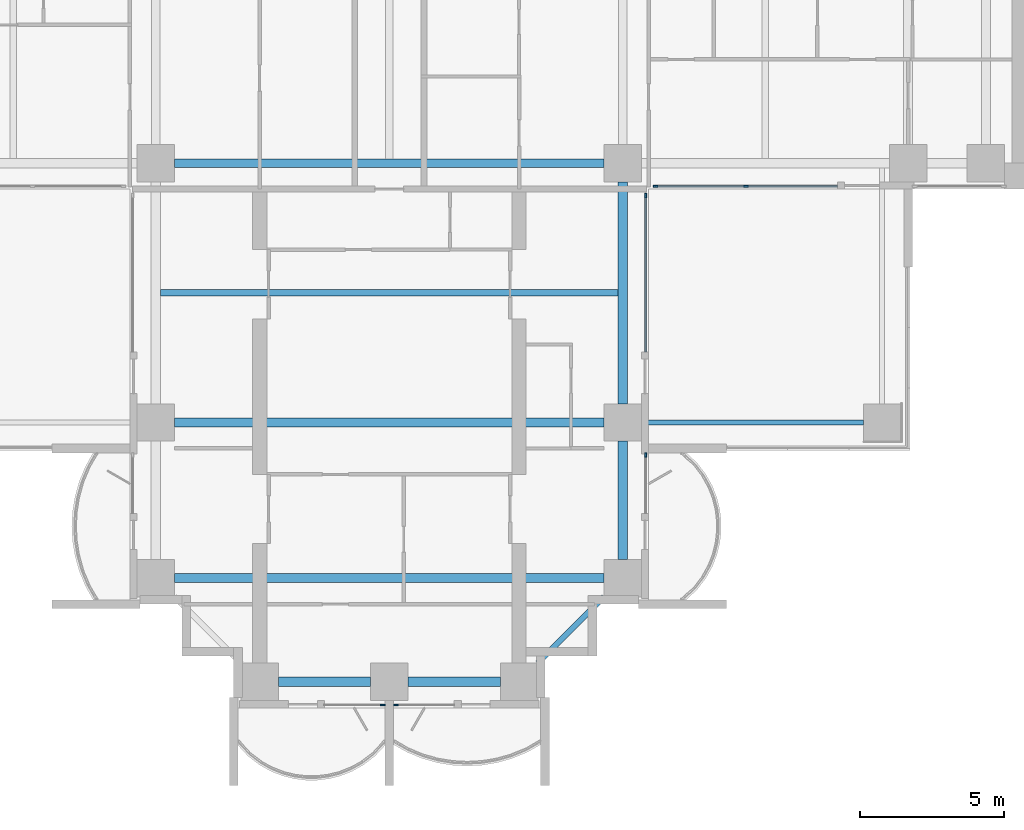
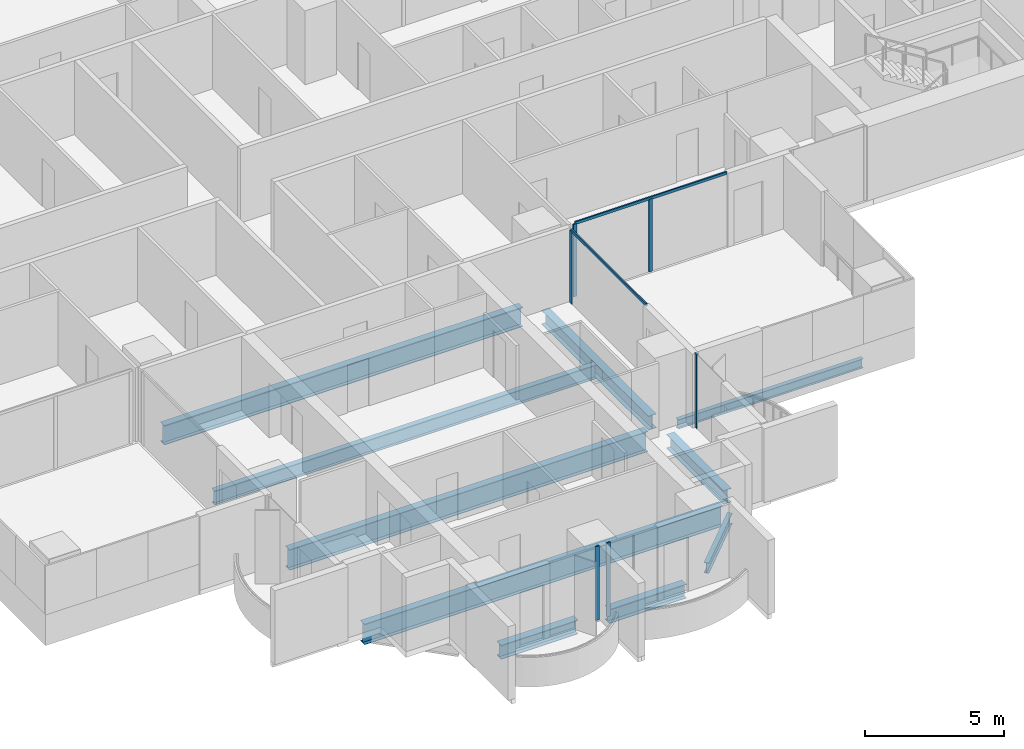
# One storey, part 3 of 20: 10 beams, 8 members, 5 elements without a shape of their own.
"""IFC4 building model written with IfcOpenShell, lengths in metres."""

import ifcopenshell
import ifcopenshell.guid

model = None  # the IFC model being written
_history = None  # IfcOwnerHistory: only IFC2X3 demands one
_inside = {}  # id of a spatial element -> (the spatial element, [elements in it])
_under = {}  # id of a project, library or spatial element -> (it, [spatial elements below it])
_declared = {}  # id of a project -> (the project, [libraries it declares])
_typed = {}  # id of a type object -> (the type object, [elements of that type])
_made_of = {}  # id of a material, layer set ... -> (it, [elements and type objects made of it])


def new_model(schema):
    """Start an empty IFC model of exactly this schema.

    Asked for "IFC4X3", IfcOpenShell would pick the latest addendum, in which some entities
    have other attributes; the version numbers below select the first issue.
    IFC2X3 requires an IfcOwnerHistory on every rooted entity: one is made here for all.
    """
    global model, _history
    if schema == "IFC4X3":
        model = ifcopenshell.file(schema_version=(4, 3, 0, 0))
    else:
        model = ifcopenshell.file(schema=schema)
    _inside.clear()
    _under.clear()
    _declared.clear()
    _typed.clear()
    _made_of.clear()
    _history = None
    if model.schema == "IFC2X3":
        org = make("IfcOrganization", Name="unknown")
        user = make(
            "IfcPersonAndOrganization",
            ThePerson=make("IfcPerson", FamilyName="unknown"),
            TheOrganization=org,
        )
        app = make(
            "IfcApplication",
            ApplicationDeveloper=org,
            Version="unknown",
            ApplicationFullName="unknown",
            ApplicationIdentifier="unknown",
        )
        _history = make(
            "IfcOwnerHistory",
            OwningUser=user,
            OwningApplication=app,
            ChangeAction="ADDED",
            CreationDate=0,
        )
    return model


def make(cls, **values):
    """One entity of the class cls with the attributes given. An attribute that is None is left unset."""
    return model.create_entity(
        cls, **{name: value for name, value in values.items() if value is not None}
    )


def rooted(cls, **values):
    """An entity with a GlobalId (a new one), such as an element, a storey or a relation."""
    return make(cls, GlobalId=ifcopenshell.guid.new(), OwnerHistory=_history, **values)


def si_unit(unit_type, name, prefix=None):
    """IfcSIUnit, for example si_unit("LENGTHUNIT", "METRE", prefix="MILLI")."""
    return make("IfcSIUnit", UnitType=unit_type, Prefix=prefix, Name=name)


def assignment(units):
    """IfcUnitAssignment: the units of a project."""
    return None if units is None else make("IfcUnitAssignment", Units=units)


def point(xyz):
    """IfcCartesianPoint."""
    return None if xyz is None else make("IfcCartesianPoint", Coordinates=xyz)


def direction(xyz):
    """IfcDirection."""
    return None if xyz is None else make("IfcDirection", DirectionRatios=xyz)


def frame(location, z_axis=None, x_axis=None):
    """IfcAxis2Placement3D, a coordinate frame: its origin and axes. An axis left out is left unset."""
    return make(
        "IfcAxis2Placement3D",
        Location=point(location),
        Axis=direction(z_axis),
        RefDirection=direction(x_axis),
    )


def frame_2d(location, x_axis=None):
    """IfcAxis2Placement2D, a coordinate frame in the plane: its origin and x axis."""
    return make(
        "IfcAxis2Placement2D", Location=point(location), RefDirection=direction(x_axis)
    )


def origin():
    """The frame at (0, 0, 0) with its axes left unset."""
    return frame((0.0, 0.0, 0.0))


def origin_2d():
    """The frame at (0, 0) in the plane with its x axis left unset."""
    return frame_2d((0.0, 0.0))


def place(relative_to, where):
    """IfcLocalPlacement: puts the frame where relative to a parent placement (None: the world)."""
    return make(
        "IfcLocalPlacement", PlacementRelTo=relative_to, RelativePlacement=where
    )


def context(
    kind, dimensions, precision=None, world=None, true_north=None, identifier=None
):
    """IfcGeometricRepresentationContext, for example the 3D "Model" context."""
    return make(
        "IfcGeometricRepresentationContext",
        ContextIdentifier=identifier,
        ContextType=kind,
        CoordinateSpaceDimension=dimensions,
        Precision=precision,
        WorldCoordinateSystem=world,
        TrueNorth=true_north,
    )


def subcontext(parent, identifier, kind, view, scale=None):
    """IfcGeometricRepresentationSubContext, for example "Body" below "Model"."""
    return make(
        "IfcGeometricRepresentationSubContext",
        ContextIdentifier=identifier,
        ContextType=kind,
        ParentContext=parent,
        TargetScale=scale,
        TargetView=view,
    )


def project(units=None, contexts=None):
    """IfcProject with its units and contexts."""
    return rooted(
        "IfcProject",
        Name="project",
        RepresentationContexts=contexts,
        UnitsInContext=assignment(units),
    )


def spatial(cls, under=None, at=None, **own):
    """A site, building, storey or space (cls), placed at a placement, below another one or the project."""
    s = rooted(cls, ObjectPlacement=at, **own)
    if under is not None:
        _under.setdefault(under.id(), (under, []))[1].append(s)
    return s


def profile(cls, at=None, kind="AREA", **sizes):
    """A parametric profile (cls). Its sizes go by their IFC names, for example OverallWidth=200.0."""
    return make(cls, ProfileType=kind, Position=at, **sizes)


def rectangle(**sizes):
    """IfcRectangleProfileDef."""
    return profile("IfcRectangleProfileDef", **sizes)


def i_section(**sizes):
    """IfcIShapeProfileDef."""
    return profile("IfcIShapeProfileDef", **sizes)


def extrude(swept, where, along, depth):
    """IfcExtrudedAreaSolid: the profile swept, set in the frame where, extruded along a direction by depth."""
    return make(
        "IfcExtrudedAreaSolid",
        SweptArea=swept,
        Position=where,
        ExtrudedDirection=direction(along),
        Depth=depth,
    )


def shape(context_of_items, identifier, shape_type, items):
    """IfcShapeRepresentation: the items that make up one representation, for example the "Body"."""
    return make(
        "IfcShapeRepresentation",
        ContextOfItems=context_of_items,
        RepresentationIdentifier=identifier,
        RepresentationType=shape_type,
        Items=items,
    )


def material(Name=None, Category=None):
    """IfcMaterial."""
    return make("IfcMaterial", Name=Name, Category=Category)


def material_profile(
    of_material, cross_section, Name=None, Category=None, Priority=None
):
    """IfcMaterialProfile: a cross section and its material."""
    return make(
        "IfcMaterialProfile",
        Name=Name,
        Material=of_material,
        Profile=cross_section,
        Priority=Priority,
        Category=Category,
    )


def profile_set(profiles, Name=None, composite=None):
    """IfcMaterialProfileSet."""
    return make(
        "IfcMaterialProfileSet",
        Name=Name,
        MaterialProfiles=profiles,
        CompositeProfile=composite,
    )


def made_of(thing, what):
    """Note that an element or type object is made of a material, layer set ...; save() writes the relation."""
    if what is not None:
        _made_of.setdefault(what.id(), (what, []))[1].append(thing)
    return thing


def type_object(cls, material=None, **own):
    """A type object (cls), such as IfcWallType, which elements share."""
    return made_of(rooted(cls, **own), material)


def element(
    cls,
    number,
    at=None,
    inside=None,
    cuts=None,
    type_object=None,
    material=None,
    context=None,
    identifier="Body",
    shape_type=None,
    held_by="IfcProductDefinitionShape",
    body=None,
    shapes=None,
    **own,
):
    """One element of the class cls, such as IfcWall. Its Tag is "e" and its number.

    at: its placement. inside: the storey or other place that contains it. cuts: it is an
    opening in that element (IfcRelVoidsElement). A single representation is given by context,
    identifier, shape_type and body (its items); several are given by shapes. held_by: the class
    of the entity that holds the representations. save() writes the other relations.
    """
    e = rooted(cls, Tag="e%d" % number, ObjectPlacement=at, **own)
    if body is not None:
        shapes = [shape(context, identifier, shape_type, body)]
    if shapes is not None:
        e.Representation = make(held_by, Representations=shapes)
    if inside is not None:
        _inside.setdefault(inside.id(), (inside, []))[1].append(e)
    if cuts is not None:
        rooted(
            "IfcRelVoidsElement", RelatingBuildingElement=cuts, RelatedOpeningElement=e
        )
    if type_object is not None:
        _typed.setdefault(type_object.id(), (type_object, []))[1].append(e)
    return made_of(e, material)


def aggregate(whole, parts):
    """IfcRelAggregates: a whole, such as a stair, and the parts it consists of."""
    return rooted("IfcRelAggregates", RelatingObject=whole, RelatedObjects=parts)


def save(model, path):
    """Write the relations noted so far, then the file.

    IfcRelAggregates (storeys below a building ...), IfcRelContainedInSpatialStructure (elements
    in a storey), IfcRelDefinesByType, IfcRelAssociatesMaterial and IfcRelDeclares: one each for
    every whole, place, type object, material and project.
    """
    for whole, parts in _under.values():
        aggregate(whole, parts)
    for where, things in _inside.values():
        rooted(
            "IfcRelContainedInSpatialStructure",
            RelatedElements=things,
            RelatingStructure=where,
        )
    for kind, things in _typed.values():
        rooted("IfcRelDefinesByType", RelatedObjects=things, RelatingType=kind)
    for what, things in _made_of.values():
        rooted("IfcRelAssociatesMaterial", RelatedObjects=things, RelatingMaterial=what)
    for by, libraries in _declared.values():
        rooted("IfcRelDeclares", RelatingContext=by, RelatedDefinitions=libraries)
    model.write(path)


model = new_model("IFC4")

# Units and contexts
model_context = context("Model", 3, precision=1e-05, world=origin(), true_north=direction((0.0, 1.0)))
body_context = subcontext(model_context, "Body", "Model", "MODEL_VIEW")
ifc_project = project(units=[si_unit("LENGTHUNIT", "METRE"), si_unit("AREAUNIT", "SQUARE_METRE"), si_unit("VOLUMEUNIT", "CUBIC_METRE"), si_unit("PLANEANGLEUNIT", "RADIAN"), si_unit("MASSUNIT", "GRAM", prefix="KILO")], contexts=[model_context])

# Site, building, storey
site_placement = place(None, origin())
site = spatial("IfcSite", under=ifc_project, at=site_placement, CompositionType="ELEMENT")
building_placement = place(site_placement, origin())
building = spatial("IfcBuilding", under=site, at=building_placement, Name="Perihelion Cross Residences", CompositionType="ELEMENT")
storey_placement = place(building_placement, frame((0.0, 0.0, 82.0)))
storey = spatial("IfcBuildingStorey", under=building, at=storey_placement, Name="L18", CompositionType="ELEMENT", Elevation=82.0)

# Curtain wall, member
ifc_material_1 = material(Name="Bronze anodised aluminium, tinted glazing", Category="aluminium")
curtain_wall_type = type_object("IfcCurtainWallType", Name="CW1", PredefinedType="NOTDEFINED", material=ifc_material_1)
curtain_wall_1_placement = place(storey_placement, origin())
curtain_wall_1 = element("IfcCurtainWall", 1, at=curtain_wall_1_placement, inside=storey, type_object=curtain_wall_type, Name="Curtain wall CW1 L18 south tip south bay 1", PredefinedType="NOTDEFINED")
ifc_material_2 = material(Name="Bronze anodised aluminium", Category="aluminium")
ifc_material_profile_1 = material_profile(ifc_material_2, rectangle(XDim=0.06005859375, YDim=0.159912109375, at=origin_2d()), Name="CW1 mullion")
ifc_profile_set_1 = profile_set([ifc_material_profile_1], Name="Bronze anodised aluminium")
member_type_1 = type_object("IfcMemberType", Name="CW1 mullion", PredefinedType="MULLION", material=ifc_profile_set_1)
member_1_placement = place(storey_placement, frame((-0.22998046875, -26.89990234375, 0.0), z_axis=(0.0, 0.0, 1.0), x_axis=(0.0, 1.0, 0.0)))
member_1 = element("IfcMember", 2, at=member_1_placement, type_object=member_type_1, Name="CW1 mullion 2", PredefinedType="MULLION", context=body_context, shape_type="SweptSolid", body=[
    extrude(rectangle(XDim=0.06005859375, YDim=0.159912109375, at=origin_2d()), origin(), (0.0, 0.0, 1.0), 3.25),
])
aggregate(curtain_wall_1, [member_1])

curtain_wall_2_placement = place(storey_placement, origin())
curtain_wall_2 = element("IfcCurtainWall", 3, at=curtain_wall_2_placement, inside=storey, type_object=curtain_wall_type, Name="Curtain wall CW1 L18 south tip south bay 2", PredefinedType="NOTDEFINED")
member_2_placement = place(storey_placement, frame((0.22998046875, -26.89990234375, 0.0), z_axis=(0.0, 0.0, 1.0), x_axis=(0.0, 1.0, 0.0)))
member_2 = element("IfcMember", 4, at=member_2_placement, type_object=member_type_1, Name="CW1 mullion 1", PredefinedType="MULLION", context=body_context, shape_type="SweptSolid", body=[
    extrude(rectangle(XDim=0.06005859375, YDim=0.159912109375, at=origin_2d()), origin(), (0.0, 0.0, 1.0), 3.25),
])
aggregate(curtain_wall_2, [member_2])

curtain_wall_3_placement = place(storey_placement, origin())
curtain_wall_3 = element("IfcCurtainWall", 5, at=curtain_wall_3_placement, inside=storey, type_object=curtain_wall_type, Name="Curtain wall CW1 L18 south side east bay 1", PredefinedType="NOTDEFINED")
member_3_placement = place(storey_placement, frame((8.89990234375, -18.22998046875, 0.0), z_axis=(0.0, 0.0, 1.0), x_axis=(-1.0, 0.0, 0.0)))
member_3 = element("IfcMember", 6, at=member_3_placement, type_object=member_type_1, Name="CW1 mullion 2", PredefinedType="MULLION", context=body_context, shape_type="SweptSolid", body=[
    extrude(rectangle(XDim=0.06005859375, YDim=0.159912109375, at=origin_2d()), origin(), (0.0, 0.0, 1.0), 3.25),
])
aggregate(curtain_wall_3, [member_3])

curtain_wall_4_placement = place(storey_placement, origin())
curtain_wall_4 = element("IfcCurtainWall", 7, at=curtain_wall_4_placement, inside=storey, type_object=curtain_wall_type, Name="Curtain wall CW1 L18 south side east bay 2", PredefinedType="NOTDEFINED")
member_4_placement = place(storey_placement, frame((8.89990234375, -9.22998046875, 0.0), z_axis=(0.0, 0.0, 1.0), x_axis=(-1.0, 0.0, 0.0)))
member_4 = element("IfcMember", 8, at=member_4_placement, type_object=member_type_1, Name="CW1 mullion 2", PredefinedType="MULLION", context=body_context, shape_type="SweptSolid", body=[
    extrude(rectangle(XDim=0.06005859375, YDim=0.159912109375, at=origin_2d()), origin(), (0.0, 0.0, 1.0), 3.18994140625),
])

# Curtain wall, members
curtain_wall_5_placement = place(storey_placement, origin())
curtain_wall_5 = element("IfcCurtainWall", 9, at=curtain_wall_5_placement, inside=storey, type_object=curtain_wall_type, Name="Curtain wall CW1 L18 east side south bay 1", PredefinedType="NOTDEFINED")
member_5_placement = place(storey_placement, frame((9.22998046875, -8.89990234375, 0.0), z_axis=(0.0, 0.0, 1.0), x_axis=(0.0, 1.0, 0.0)))
member_5 = element("IfcMember", 10, at=member_5_placement, type_object=member_type_1, Name="CW1 mullion 1", PredefinedType="MULLION", context=body_context, shape_type="SweptSolid", body=[
    extrude(rectangle(XDim=0.06005859375, YDim=0.159912109375, at=origin_2d()), origin(), (0.0, 0.0, 1.0), 3.18994140625),
])
member_6_placement = place(storey_placement, frame((12.375, -8.89990234375, 0.0), z_axis=(0.0, 0.0, 1.0), x_axis=(0.0, 1.0, 0.0)))
member_6 = element("IfcMember", 11, at=member_6_placement, type_object=member_type_1, Name="CW1 mullion 2", PredefinedType="MULLION", context=body_context, shape_type="SweptSolid", body=[
    extrude(rectangle(XDim=0.06005859375, YDim=0.159912109375, at=origin_2d()), origin(), (0.0, 0.0, 1.0), 3.18994140625),
])

# Member
ifc_material_3 = material(Name="Bronze anodised aluminium", Category="aluminium")
ifc_material_profile_2 = material_profile(ifc_material_3, rectangle(XDim=0.06005859375, YDim=0.1201171875, at=origin_2d()), Name="CW1 transom")
ifc_profile_set_2 = profile_set([ifc_material_profile_2], Name="Bronze anodised aluminium")
member_type_2 = type_object("IfcMemberType", Name="CW1 transom", PredefinedType="USERDEFINED", material=ifc_profile_set_2)
member_7_placement = place(storey_placement, frame((8.89990234375, -14.64990234375, 3.219970703125), z_axis=(0.0, 1.0, 0.0), x_axis=(-1.0, 0.0, 0.0)))
member_7 = element("IfcMember", 12, at=member_7_placement, type_object=member_type_2, Name="CW1 head transom", ObjectType="TRANSOM", PredefinedType="USERDEFINED", context=body_context, shape_type="SweptSolid", body=[
    extrude(rectangle(XDim=0.06005859375, YDim=0.1201171875, at=origin_2d()), origin(), (0.0, 0.0, 1.0), 5.419921875),
])

aggregate(curtain_wall_4, [member_4, member_7])

member_8_placement = place(storey_placement, frame((9.22998046875, -8.89990234375, 3.219970703125), z_axis=(1.0, 0.0, 0.0), x_axis=(0.0, 1.0, 0.0)))
member_8 = element("IfcMember", 13, at=member_8_placement, type_object=member_type_2, Name="CW1 head transom", ObjectType="TRANSOM", PredefinedType="USERDEFINED", context=body_context, shape_type="SweptSolid", body=[
    extrude(rectangle(XDim=0.06005859375, YDim=0.1201171875, at=origin_2d()), origin(), (0.0, 0.0, 1.0), 6.320068359375),
])

aggregate(curtain_wall_5, [member_5, member_6, member_8])

# Beams
ifc_material_4 = material(Name="Steel S355", Category="steel")
ifc_material_profile_3 = material_profile(ifc_material_4, i_section(OverallWidth=0.177978515625, OverallDepth=0.406005859375, WebThickness=0.0078125, FlangeThickness=0.0126953125, at=origin_2d()), Name="W410x60")
ifc_profile_set_3 = profile_set([ifc_material_profile_3], Name="Steel S355")
beam_type_1 = type_object("IfcBeamType", Name="Core edge beam W410x60", PredefinedType="BEAM", material=ifc_profile_set_3)
beam_1_placement = place(storey_placement, frame((8.75, -17.10009765625, -0.452880859375), z_axis=(1.0, 0.0, 0.0), x_axis=(0.0, 1.0, 0.0)))
element("IfcBeam", 14, at=beam_1_placement, inside=storey, type_object=beam_type_1, Name="Core edge beam TB2 L18 corner no. 6", PredefinedType="BEAM", context=body_context, shape_type="SweptSolid", body=[
    extrude(i_section(OverallWidth=0.177978515625, OverallDepth=0.406005859375, WebThickness=0.0078125, FlangeThickness=0.0126953125, at=origin_2d()), origin(), (0.0, 0.0, 1.0), 7.699951171875),
])
ifc_material_5 = material(Name="Steel S355", Category="steel")
ifc_material_profile_4 = material_profile(ifc_material_5, i_section(OverallWidth=0.324951171875, OverallDepth=0.616943359375, WebThickness=0.013916015625, FlangeThickness=0.021484375, at=origin_2d()), Name="W610x174")
ifc_profile_set_4 = profile_set([ifc_material_profile_4], Name="Steel S355")
beam_type_2 = type_object("IfcBeamType", Name="Edge beam W610x174", PredefinedType="SPANDREL", material=ifc_profile_set_4)
for number, where, z_axis, x_axis, name in (
    (15, (-3.85009765625, -26.10009765625, -0.55859375), (1.0, 0.0, 0.0), (0.0, 1.0, 0.0), "Edge beam SB2 L18 no. 4"),
    (16, (0.64990234375, -26.10009765625, -0.55859375), (1.0, 0.0, 0.0), (0.0, 1.0, 0.0), "Edge beam SB2 L18 no. 10"),
):
    element("IfcBeam", number, at=place(storey_placement, frame(where, z_axis=z_axis, x_axis=x_axis)), inside=storey, type_object=beam_type_2, Name=name, PredefinedType="SPANDREL", context=body_context, shape_type="SweptSolid", body=[
        extrude(i_section(OverallWidth=0.324951171875, OverallDepth=0.616943359375, WebThickness=0.013916015625, FlangeThickness=0.021484375, at=origin_2d()), origin(), (0.0, 0.0, 1.0), 3.2001953125),
    ])
beam_2_placement = place(storey_placement, frame((8.10009765625, -21.85009765625, -0.55859375), z_axis=(0.0, 1.0, 0.0), x_axis=(-1.0, 0.0, 0.0)))
element("IfcBeam", 17, at=beam_2_placement, inside=storey, type_object=beam_type_2, Name="Edge beam SB2 L18 no. 17", PredefinedType="SPANDREL", context=body_context, shape_type="SweptSolid", body=[
    extrude(i_section(OverallWidth=0.324951171875, OverallDepth=0.616943359375, WebThickness=0.013916015625, FlangeThickness=0.021484375, at=origin_2d()), origin(), (0.0, 0.0, 1.0), 4.10009765625),
])
beam_3_placement = place(storey_placement, frame((8.10009765625, -16.449951171875, -0.55859375), z_axis=(0.0, 1.0, 0.0), x_axis=(-1.0, 0.0, 0.0)))
element("IfcBeam", 18, at=beam_3_placement, inside=storey, type_object=beam_type_2, Name="Edge beam SB2 L18 no. 16", PredefinedType="SPANDREL", context=body_context, shape_type="SweptSolid", body=[
    extrude(i_section(OverallWidth=0.324951171875, OverallDepth=0.616943359375, WebThickness=0.013916015625, FlangeThickness=0.021484375, at=origin_2d()), origin(), (0.0, 0.0, 1.0), 7.699951171875),
])
ifc_material_6 = material(Name="Steel S355", Category="steel")
ifc_material_profile_5 = material_profile(ifc_material_6, i_section(OverallWidth=0.304931640625, OverallDepth=0.904052734375, WebThickness=0.01513671875, FlangeThickness=0.02001953125, at=origin_2d()), Name="W920x201")
ifc_profile_set_5 = profile_set([ifc_material_profile_5], Name="Steel S355")
beam_type_3 = type_object("IfcBeamType", Name="Floor girder W920x201", PredefinedType="BEAM", material=ifc_profile_set_5)
for number, where, z_axis, x_axis, name in (
    (19, (-7.449951171875, -17.10009765625, -0.701904296875), (1.0, 0.0, 0.0), (0.0, 1.0, 0.0), "Girder G2 L18 no. 3"),
    (20, (-7.449951171875, -22.5, -0.701904296875), (1.0, 0.0, 0.0), (0.0, 1.0, 0.0), "Girder G2 L18 no. 4"),
):
    element("IfcBeam", number, at=place(storey_placement, frame(where, z_axis=z_axis, x_axis=x_axis)), inside=storey, type_object=beam_type_3, Name=name, PredefinedType="BEAM", context=body_context, shape_type="SweptSolid", body=[
        extrude(i_section(OverallWidth=0.304931640625, OverallDepth=0.904052734375, WebThickness=0.01513671875, FlangeThickness=0.02001953125, at=origin_2d()), origin(), (0.0, 0.0, 1.0), 14.89990234375),
    ])
ifc_material_7 = material(Name="Steel S355", Category="steel")
ifc_material_profile_6 = material_profile(ifc_material_7, i_section(OverallWidth=0.22900390625, OverallDepth=0.612060546875, WebThickness=0.011962890625, FlangeThickness=0.01953125, at=origin_2d()), Name="W610x125")
ifc_profile_set_6 = profile_set([ifc_material_profile_6], Name="Steel S355")
beam_type_4 = type_object("IfcBeamType", Name="Floor joist W610x125", PredefinedType="JOIST", material=ifc_profile_set_6)
beam_4_placement = place(storey_placement, frame((-7.9375, -12.60009765625, -0.555908203125), z_axis=(1.0, 0.0, 0.0), x_axis=(0.0, 1.0, 0.0)))
element("IfcBeam", 21, at=beam_4_placement, inside=storey, type_object=beam_type_4, Name="Joist J3 L18 no. 3", PredefinedType="JOIST", context=body_context, shape_type="SweptSolid", body=[
    extrude(i_section(OverallWidth=0.22900390625, OverallDepth=0.612060546875, WebThickness=0.011962890625, FlangeThickness=0.01953125, at=origin_2d()), origin(), (0.0, 0.0, 1.0), 15.875),
])
ifc_material_8 = material(Name="Steel S355", Category="steel")
ifc_material_profile_7 = material_profile(ifc_material_8, i_section(OverallWidth=0.2919921875, OverallDepth=0.85888671875, WebThickness=0.01708984375, FlangeThickness=0.031005859375, at=origin_2d()), Name="W840x251")
ifc_profile_set_7 = profile_set([ifc_material_profile_7], Name="Steel S355")
beam_type_5 = type_object("IfcBeamType", Name="Hub ring girder W840x251", PredefinedType="BEAM", material=ifc_profile_set_7)
beam_5_placement = place(storey_placement, frame((-7.449951171875, -8.10009765625, -0.679443359375), z_axis=(1.0, 0.0, 0.0), x_axis=(0.0, 1.0, 0.0)))
element("IfcBeam", 22, at=beam_5_placement, inside=storey, type_object=beam_type_5, Name="Hub ring girder RG2 L18 no. 1", PredefinedType="BEAM", context=body_context, shape_type="SweptSolid", body=[
    extrude(i_section(OverallWidth=0.2919921875, OverallDepth=0.85888671875, WebThickness=0.01708984375, FlangeThickness=0.031005859375, at=origin_2d()), origin(), (0.0, 0.0, 1.0), 14.89990234375),
])
ifc_material_9 = material(Name="Steel S355", Category="steel")
ifc_material_profile_8 = material_profile(ifc_material_9, i_section(OverallWidth=0.194091796875, OverallDepth=0.469970703125, WebThickness=0.0126953125, FlangeThickness=0.0205078125, at=origin_2d()), Name="W460x106")
ifc_profile_set_8 = profile_set([ifc_material_profile_8], Name="Steel S355")
beam_type_6 = type_object("IfcBeamType", Name="Serration edge beam W460x106", PredefinedType="BEAM", material=ifc_profile_set_8)
beam_6_placement = place(storey_placement, frame((5.14990234375, -25.449951171875, -0.485107421875), z_axis=(0.707106781187, 0.707106781187, 0.0), x_axis=(-0.707106781187, 0.707106781187, 0.0)))
element("IfcBeam", 23, at=beam_6_placement, inside=storey, type_object=beam_type_6, Name="Serration edge beam EB2 L18 no. 3", PredefinedType="BEAM", context=body_context, shape_type="SweptSolid", body=[
    extrude(i_section(OverallWidth=0.194091796875, OverallDepth=0.469970703125, WebThickness=0.0126953125, FlangeThickness=0.0205078125, at=origin_2d()), origin(), (0.0, 0.0, 1.0), 3.252685546875),
])

save(model, "model.ifc")
